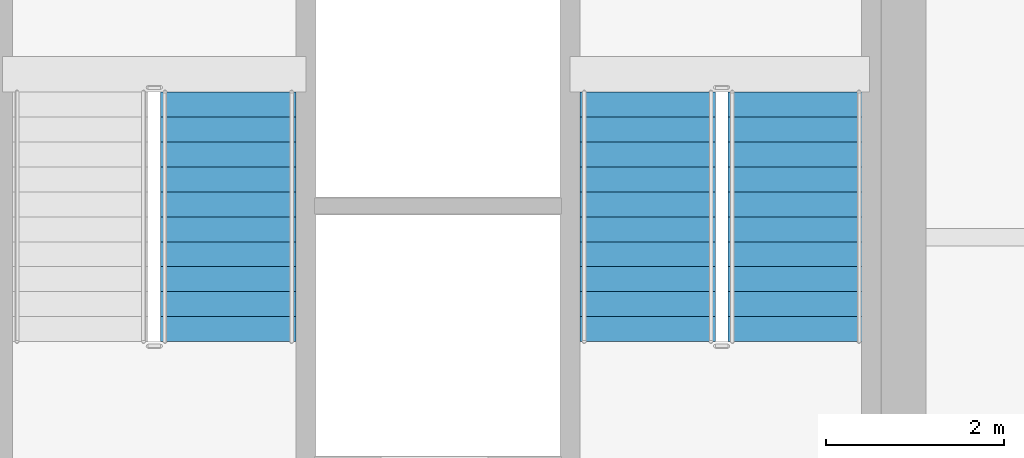
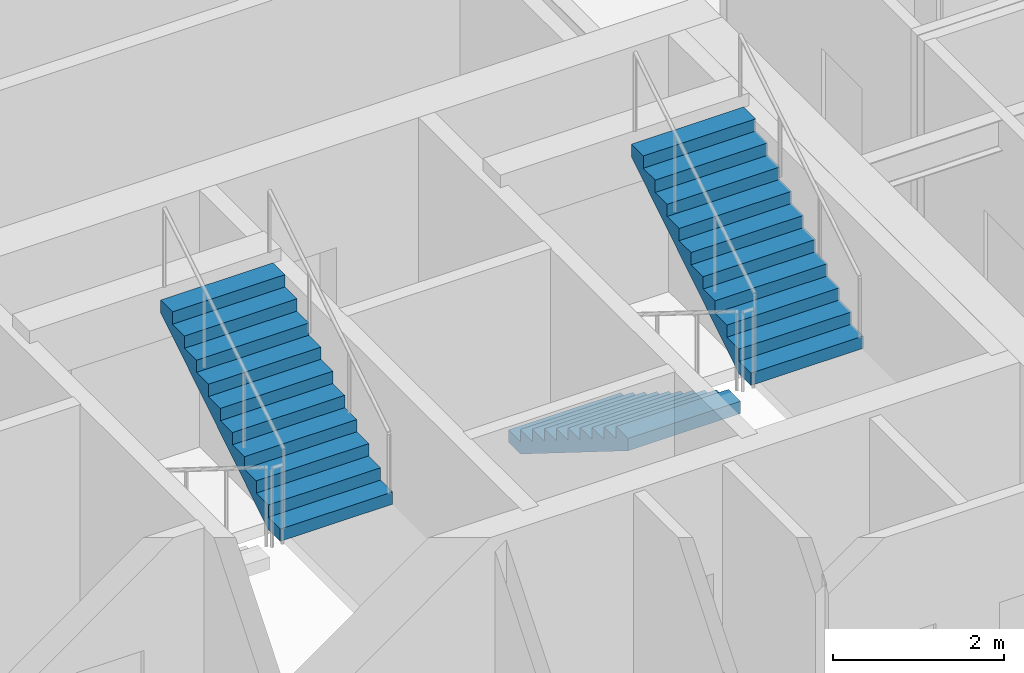
# One storey, part 9 of 11: 3 stair flights, 2 elements without a shape of their own.
"""IFC4 building model written with IfcOpenShell, lengths in metres."""

from ifc_helpers import new_model, si_unit, direction, frame, origin, place, context, subcontext, project, spatial, polyline, outline, extrude, material, type_object, element, aggregate, save


model = new_model("IFC4")

# Units and contexts
model_context = context("Model", 3, precision=1e-05, world=origin(), true_north=direction((0.0, 1.0)))
body_context = subcontext(model_context, "Body", "Model", "MODEL_VIEW")
ifc_project = project(units=[si_unit("LENGTHUNIT", "METRE"), si_unit("AREAUNIT", "SQUARE_METRE"), si_unit("VOLUMEUNIT", "CUBIC_METRE"), si_unit("PLANEANGLEUNIT", "RADIAN"), si_unit("MASSUNIT", "GRAM", prefix="KILO")], contexts=[model_context])

# Site, building, storey
site_placement = place(None, origin())
site = spatial("IfcSite", under=ifc_project, at=site_placement, CompositionType="ELEMENT")
building_placement = place(site_placement, origin())
building = spatial("IfcBuilding", under=site, at=building_placement, Name="Haolan Belvedere Tower", CompositionType="ELEMENT")
storey_placement = place(building_placement, frame((0.0, 0.0, 250.60009765625)))
storey = spatial("IfcBuildingStorey", under=building, at=storey_placement, Name="L63", CompositionType="ELEMENT", Elevation=250.60009765625)

# Stair, stair flight
ifc_material = material(Name="Concrete C40/50", Category="concrete")
stair_type = type_object("IfcStairType", Name="STR-DL-22R-175", PredefinedType="HALF_TURN_STAIR", material=ifc_material)
stair_1_placement = place(storey_placement, origin())
stair_1 = element("IfcStair", 1, at=stair_1_placement, inside=storey, type_object=stair_type, Name="L63 Smokeproof Core Exit Stair ST3", PredefinedType="HALF_TURN_STAIR")
stair_flight_type = type_object("IfcStairFlightType", Name="SFL-DL-11R-175", PredefinedType="STRAIGHT", material=ifc_material)
stair_flight_1_placement = place(storey_placement, frame((39.22998046875, 38.429931640625, 1.9248046875), z_axis=(0.0, 0.0, 1.0), x_axis=(0.0, 1.0, 0.0)))
stair_flight_1 = element("IfcStairFlight", 2, at=stair_flight_1_placement, type_object=stair_flight_type, Name="ST3 flight 2", NumberOfRisers=11, NumberOfTreads=10, PredefinedType="STRAIGHT", RiserHeight=0.175, TreadLength=0.28, context=body_context, shape_type="SweptSolid", body=[
    extrude(outline(polyline([(0.0, 0.0), (0.0, 0.175048828125), (0.280029296875, 0.175048828125), (0.280029296875, 0.35009765625), (0.56005859375, 0.35009765625), (0.56005859375, 0.52490234375), (0.840087890625, 0.52490234375), (0.840087890625, 0.699951171875), (1.1201171875, 0.699951171875), (1.1201171875, 0.875), (1.39990234375, 0.875), (1.39990234375, 1.050048828125), (1.679931640625, 1.050048828125), (1.679931640625, 1.22509765625), (1.9599609375, 1.22509765625), (1.9599609375, 1.39990234375), (2.239990234375, 1.39990234375), (2.239990234375, 1.574951171875), (2.52001953125, 1.574951171875), (2.52001953125, 1.75), (2.800048828125, 1.75), (2.800048828125, 1.925048828125), (2.800048828125, 1.5732421875), (0.28271484375, 0.0), (0.0, 0.0)])), frame((0.0, 0.760009765625, 0.0), z_axis=(0.0, -1.0, 0.0), x_axis=(1.0, 0.0, 0.0)), (0.0, 0.0, 1.0), 1.52001953125),
])
aggregate(stair_1, [stair_flight_1])

# Stair, stair flights
stair_2_placement = place(storey_placement, origin())
stair_2 = element("IfcStair", 3, at=stair_2_placement, inside=storey, type_object=stair_type, Name="L63 Smokeproof Core Exit Stair ST2", PredefinedType="HALF_TURN_STAIR")
stair_flight_2_placement = place(storey_placement, frame((43.929931640625, 41.22998046875, 0.0), z_axis=(0.0, 0.0, 1.0), x_axis=(0.0, -1.0, 0.0)))
stair_flight_2 = element("IfcStairFlight", 4, at=stair_flight_2_placement, type_object=stair_flight_type, Name="ST2 flight 1", NumberOfRisers=11, NumberOfTreads=10, PredefinedType="STRAIGHT", RiserHeight=0.175, TreadLength=0.28, context=body_context, shape_type="SweptSolid", body=[
    extrude(outline(polyline([(0.0, 0.0), (0.0, 0.175048828125), (0.280029296875, 0.175048828125), (0.280029296875, 0.35009765625), (0.56005859375, 0.35009765625), (0.56005859375, 0.52490234375), (0.840087890625, 0.52490234375), (0.840087890625, 0.699951171875), (1.1201171875, 0.699951171875), (1.1201171875, 0.875), (1.39990234375, 0.875), (1.39990234375, 1.050048828125), (1.679931640625, 1.050048828125), (1.679931640625, 1.22509765625), (1.9599609375, 1.22509765625), (1.9599609375, 1.39990234375), (2.239990234375, 1.39990234375), (2.239990234375, 1.574951171875), (2.52001953125, 1.574951171875), (2.52001953125, 1.75), (2.800048828125, 1.75), (2.800048828125, 1.925048828125), (2.800048828125, 1.5732421875), (0.28271484375, 0.0), (0.0, 0.0)])), frame((0.0, 0.760009765625, 0.0), z_axis=(0.0, -1.0, 0.0), x_axis=(1.0, 0.0, 0.0)), (0.0, 0.0, 1.0), 1.52001953125),
])
stair_flight_3_placement = place(storey_placement, frame((45.590087890625, 38.429931640625, 1.9248046875), z_axis=(0.0, 0.0, 1.0), x_axis=(0.0, 1.0, 0.0)))
stair_flight_3 = element("IfcStairFlight", 5, at=stair_flight_3_placement, type_object=stair_flight_type, Name="ST2 flight 2", NumberOfRisers=11, NumberOfTreads=10, PredefinedType="STRAIGHT", RiserHeight=0.175, TreadLength=0.28, context=body_context, shape_type="SweptSolid", body=[
    extrude(outline(polyline([(0.0, 0.0), (0.0, 0.175048828125), (0.280029296875, 0.175048828125), (0.280029296875, 0.35009765625), (0.56005859375, 0.35009765625), (0.56005859375, 0.52490234375), (0.840087890625, 0.52490234375), (0.840087890625, 0.699951171875), (1.1201171875, 0.699951171875), (1.1201171875, 0.875), (1.39990234375, 0.875), (1.39990234375, 1.050048828125), (1.679931640625, 1.050048828125), (1.679931640625, 1.22509765625), (1.9599609375, 1.22509765625), (1.9599609375, 1.39990234375), (2.239990234375, 1.39990234375), (2.239990234375, 1.574951171875), (2.52001953125, 1.574951171875), (2.52001953125, 1.75), (2.800048828125, 1.75), (2.800048828125, 1.925048828125), (2.800048828125, 1.5732421875), (0.28271484375, 0.0), (0.0, 0.0)])), frame((0.0, 0.760009765625, 0.0), z_axis=(0.0, -1.0, 0.0), x_axis=(1.0, 0.0, 0.0)), (0.0, 0.0, 1.0), 1.52001953125),
])
aggregate(stair_2, [stair_flight_2, stair_flight_3])

save(model, "model.ifc")
